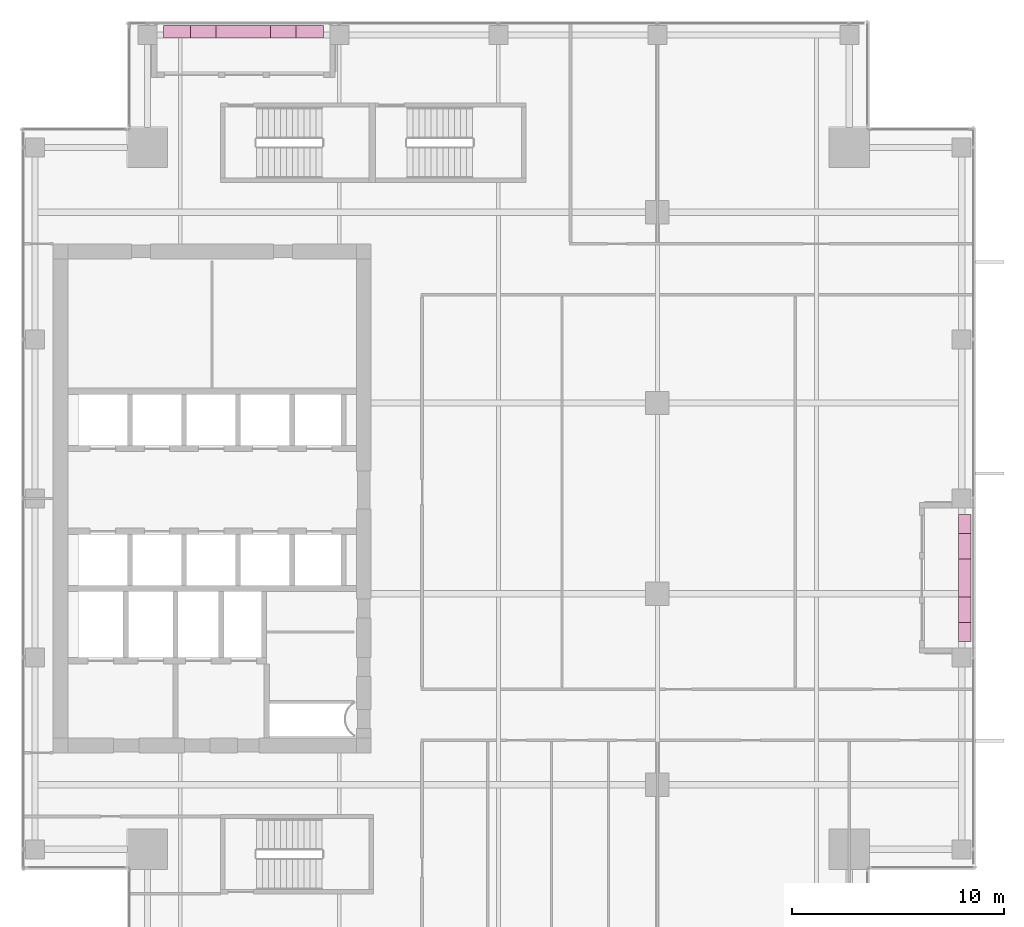
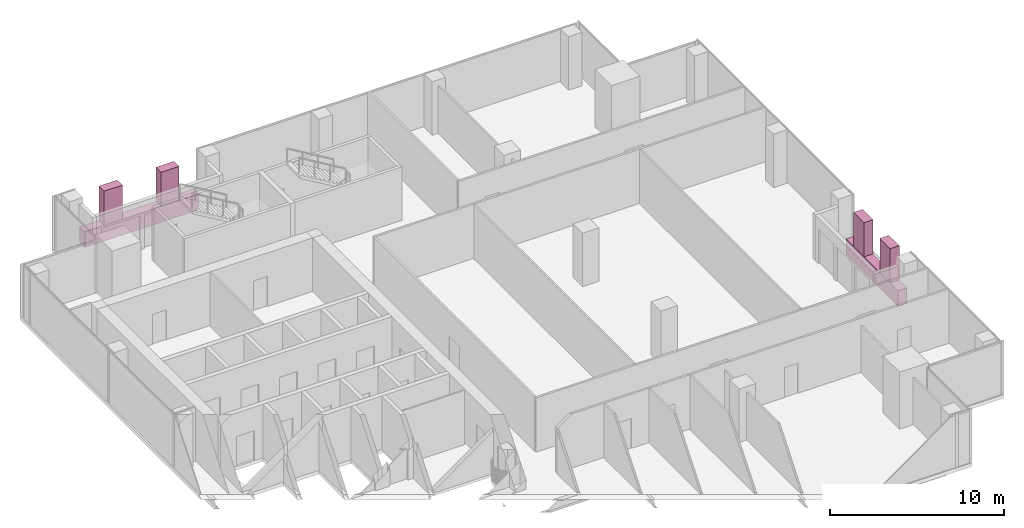
# One storey, part 36 of 36: 6 furnishings.
"""IFC4 building model written with IfcOpenShell, lengths in metres."""

from ifc_helpers import new_model, si_unit, direction, frame, origin, origin_2d, place, context, subcontext, project, spatial, rectangle, extrude, source, transform, mapped, material, type_object, element, save


model = new_model("IFC4")

# Units and contexts
model_context = context("Model", 3, precision=1e-05, world=origin(), true_north=direction((0.0, 1.0)))
body_context = subcontext(model_context, "Body", "Model", "MODEL_VIEW")
ifc_project = project(units=[si_unit("LENGTHUNIT", "METRE"), si_unit("AREAUNIT", "SQUARE_METRE"), si_unit("VOLUMEUNIT", "CUBIC_METRE"), si_unit("PLANEANGLEUNIT", "RADIAN"), si_unit("MASSUNIT", "GRAM", prefix="KILO")], contexts=[model_context])

# Site, building, storey
site_placement = place(None, origin())
site = spatial("IfcSite", under=ifc_project, at=site_placement, CompositionType="ELEMENT")
building_placement = place(site_placement, origin())
building = spatial("IfcBuilding", under=site, at=building_placement, Name="Khomas Fold Tower", CompositionType="ELEMENT")
storey_placement = place(building_placement, frame((0.0, 0.0, 230.199951171875)))
storey = spatial("IfcBuildingStorey", under=building, at=storey_placement, Name="L51", CompositionType="ELEMENT", Elevation=230.199951171875)

# Furnishings
ifc_material_1 = material(Name="Planting")
furnishing_element_type_1 = type_object("IfcFurnishingElementType", Name="BL-Tree Karee", material=ifc_material_1)
shared_shape_1 = source(origin(), body_context, "Body", "SweptSolid", [
    extrude(rectangle(XDim=1.199951171875, YDim=0.60009765625, at=origin_2d()), origin(), (0.0, 0.0, 1.0), 2.39501953125),
])
furnishing_1_placement = place(storey_placement, frame((13.08740234375, 49.0, 1.054931640625), z_axis=(0.0, 0.0, 1.0), x_axis=(1.0, 0.0, 0.0)))
element("IfcFurnishingElement", 1, at=furnishing_1_placement, inside=storey, type_object=furnishing_element_type_1, Name="PLANTER (TREE) Karee BAL-L51-N1-1", context=body_context, shape_type="MappedRepresentation", body=[
    mapped(shared_shape_1, transform((0.0, 0.0, 0.0))),
])
ifc_material_2 = material(Name="Planting")
furnishing_element_type_2 = type_object("IfcFurnishingElementType", Name="BL-Tree Wild olive", material=ifc_material_2)
for number, where, z_axis, x_axis, name in (
    (2, (16.862548828125, 49.0, 1.054931640625), (0.0, 0.0, 1.0), (1.0, 0.0, 0.0), "PLANTER (TREE) Wild olive BAL-L51-N1-2"),
    (3, (49.0, 21.75, 1.054931640625), (0.0, 0.0, 1.0), (0.0, 1.0, 0.0), "PLANTER (TREE) Wild olive BAL-L51-E2-1"),
):
    element("IfcFurnishingElement", number, at=place(storey_placement, frame(where, z_axis=z_axis, x_axis=x_axis)), inside=storey, type_object=furnishing_element_type_2, Name=name, context=body_context, shape_type="MappedRepresentation", body=[
        mapped(shared_shape_1, transform((0.0, 0.0, 0.0))),
    ])
ifc_material_3 = material(Name="Planting")
furnishing_element_type_3 = type_object("IfcFurnishingElementType", Name="BL-Tree Shepherd's tree", material=ifc_material_3)
furnishing_2_placement = place(storey_placement, frame((49.0, 24.75, 1.054931640625), z_axis=(0.0, 0.0, 1.0), x_axis=(0.0, 1.0, 0.0)))
element("IfcFurnishingElement", 4, at=furnishing_2_placement, inside=storey, type_object=furnishing_element_type_3, Name="PLANTER (TREE) Shepherd's tree BAL-L51-E2-2", context=body_context, shape_type="MappedRepresentation", body=[
    mapped(shared_shape_1, transform((0.0, 0.0, 0.0))),
])
ifc_material_4 = material(Name="Precast concrete C40/50", Category="concrete")
furnishing_element_type_4 = type_object("IfcFurnishingElementType", Name="BL-Structural planter box", material=ifc_material_4)
shared_shape_2 = source(origin(), body_context, "Body", "SweptSolid", [
    extrude(rectangle(XDim=7.550048828125, YDim=0.60009765625, at=origin_2d()), origin(), (0.0, 0.0, 1.0), 1.10009765625),
])
furnishing_3_placement = place(storey_placement, frame((14.97509765625, 49.0, -0.044921875), z_axis=(0.0, 0.0, 1.0), x_axis=(1.0, 0.0, 0.0)))
element("IfcFurnishingElement", 5, at=furnishing_3_placement, inside=storey, type_object=furnishing_element_type_4, Name="PLANTER BAL-L51-N1", context=body_context, shape_type="MappedRepresentation", body=[
    mapped(shared_shape_2, transform((0.0, 0.0, 0.0))),
])
shared_shape_3 = source(origin(), body_context, "Body", "SweptSolid", [
    extrude(rectangle(XDim=6.0, YDim=0.60009765625, at=origin_2d()), origin(), (0.0, 0.0, 1.0), 1.10009765625),
])
furnishing_4_placement = place(storey_placement, frame((49.0, 23.25, -0.044921875), z_axis=(0.0, 0.0, 1.0), x_axis=(0.0, 1.0, 0.0)))
element("IfcFurnishingElement", 6, at=furnishing_4_placement, inside=storey, type_object=furnishing_element_type_4, Name="PLANTER BAL-L51-E2", context=body_context, shape_type="MappedRepresentation", body=[
    mapped(shared_shape_3, transform((0.0, 0.0, 0.0))),
])

save(model, "model.ifc")
